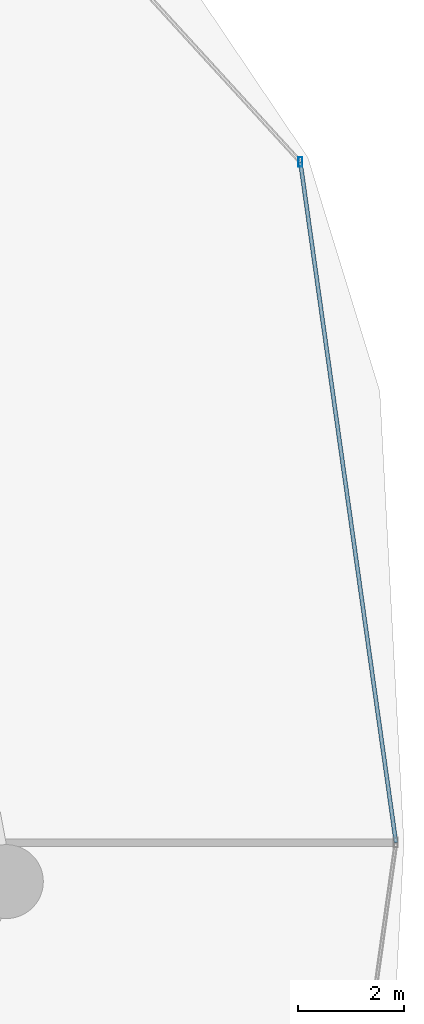
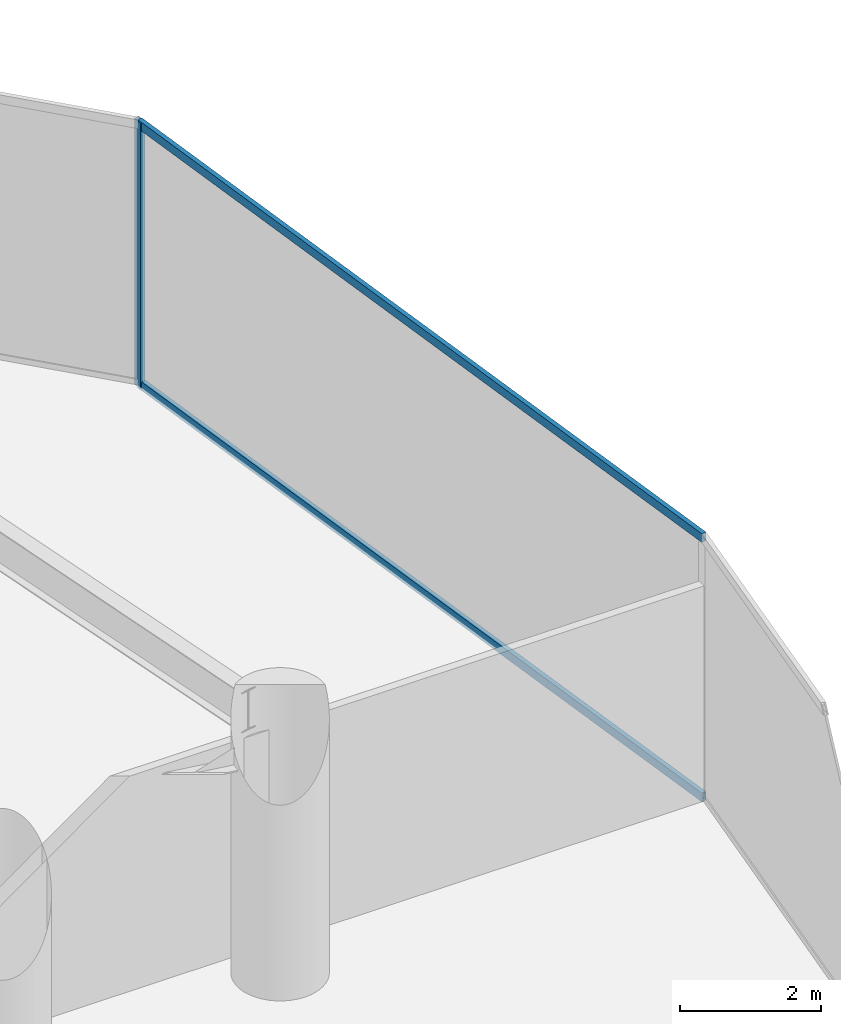
# One storey, part 24 of 32: 3 members, 1 element without a shape of its own.
"""IFC4 building model written with IfcOpenShell, lengths in metres."""

from ifc_helpers import new_model, si_unit, direction, frame, origin, origin_2d, place, context, subcontext, project, spatial, hollow_rectangle, extrude, material, material_profile, profile_set, type_object, element, aggregate, save


model = new_model("IFC4")

# Units and contexts
model_context = context("Model", 3, precision=1e-05, world=origin(), true_north=direction((0.0, 1.0)))
body_context = subcontext(model_context, "Body", "Model", "MODEL_VIEW")
ifc_project = project(units=[si_unit("LENGTHUNIT", "METRE"), si_unit("AREAUNIT", "SQUARE_METRE"), si_unit("VOLUMEUNIT", "CUBIC_METRE"), si_unit("PLANEANGLEUNIT", "RADIAN"), si_unit("MASSUNIT", "GRAM", prefix="KILO")], contexts=[model_context])

# Site, building, storey
site_placement = place(None, origin())
site = spatial("IfcSite", under=ifc_project, at=site_placement, CompositionType="ELEMENT")
building_placement = place(site_placement, origin())
building = spatial("IfcBuilding", under=site, at=building_placement, Name="Vorneva Point Tower", CompositionType="ELEMENT")
storey_placement = place(building_placement, frame((0.0, 0.0, 19.199951171875)))
storey = spatial("IfcBuildingStorey", under=building, at=storey_placement, Name="L04", CompositionType="ELEMENT", Elevation=19.199951171875)

# Curtain wall, members
ifc_material = material(Name="Pale anodised aluminium", Category="aluminium")
curtain_wall_type = type_object("IfcCurtainWallType", Name="CW-POD-SYS", PredefinedType="NOTDEFINED", material=ifc_material)
curtain_wall_placement = place(storey_placement, origin())
curtain_wall = element("IfcCurtainWall", 1, at=curtain_wall_placement, inside=storey, type_object=curtain_wall_type, Name="L04 Unitised Curtain Wall CW-L04-R01", PredefinedType="NOTDEFINED")
ifc_material_profile_1 = material_profile(ifc_material, hollow_rectangle(XDim=0.074951171875, YDim=0.179931640625, WallThickness=0.00390625, at=origin_2d()), Name="AL-MUL 180x75x4")
ifc_profile_set_1 = profile_set([ifc_material_profile_1], Name="Pale anodised aluminium")
member_type_1 = type_object("IfcMemberType", Name="CW-MUL-180", PredefinedType="MULLION", material=ifc_profile_set_1)
member_1_placement = place(storey_placement, frame((70.749755859375, 38.890869140625, -0.0400390625), z_axis=(0.0, 0.0, 1.0), x_axis=(1.0, 0.0, 0.0)))
member_1 = element("IfcMember", 2, at=member_1_placement, type_object=member_type_1, Name="CW-L04-R01 Mullion 04", PredefinedType="MULLION", context=body_context, shape_type="SweptSolid", body=[
    extrude(hollow_rectangle(XDim=0.074951171875, YDim=0.179931640625, WallThickness=0.00390625, at=origin_2d()), origin(), (0.0, 0.0, 1.0), 4.610107421875),
])
ifc_material_profile_2 = material_profile(ifc_material, hollow_rectangle(XDim=0.074951171875, YDim=0.14990234375, WallThickness=0.00390625, at=origin_2d()), Name="AL-TRN 150x75x4")
ifc_profile_set_2 = profile_set([ifc_material_profile_2], Name="Pale anodised aluminium")
member_type_2 = type_object("IfcMemberType", Name="CW-TRN-150", PredefinedType="USERDEFINED", material=ifc_profile_set_2)
member_2_placement = place(storey_placement, frame((72.560791015625, 26.0, 0.02001953125), z_axis=(-0.139123505787, 0.990275037622, 0.0), x_axis=(-0.990275037622, -0.139123505787, 0.0)))
member_2 = element("IfcMember", 3, at=member_2_placement, type_object=member_type_2, Name="CW-L04-R01 Transom 03.1", ObjectType="TRANSOM", PredefinedType="USERDEFINED", context=body_context, shape_type="SweptSolid", body=[
    extrude(hollow_rectangle(XDim=0.074951171875, YDim=0.14990234375, WallThickness=0.00390625, at=origin_2d()), origin(), (0.0, 0.0, 1.0), 13.017578125),
])
member_3_placement = place(storey_placement, frame((72.560791015625, 26.0, 4.52001953125), z_axis=(-0.139123505787, 0.990275037622, 0.0), x_axis=(-0.990275037622, -0.139123505787, 0.0)))
member_3 = element("IfcMember", 4, at=member_3_placement, type_object=member_type_2, Name="CW-L04-R01 Transom 03.2", ObjectType="TRANSOM", PredefinedType="USERDEFINED", context=body_context, shape_type="SweptSolid", body=[
    extrude(hollow_rectangle(XDim=0.074951171875, YDim=0.14990234375, WallThickness=0.00390625, at=origin_2d()), origin(), (0.0, 0.0, 1.0), 13.017578125),
])
aggregate(curtain_wall, [member_1, member_2, member_3])

save(model, "model.ifc")
